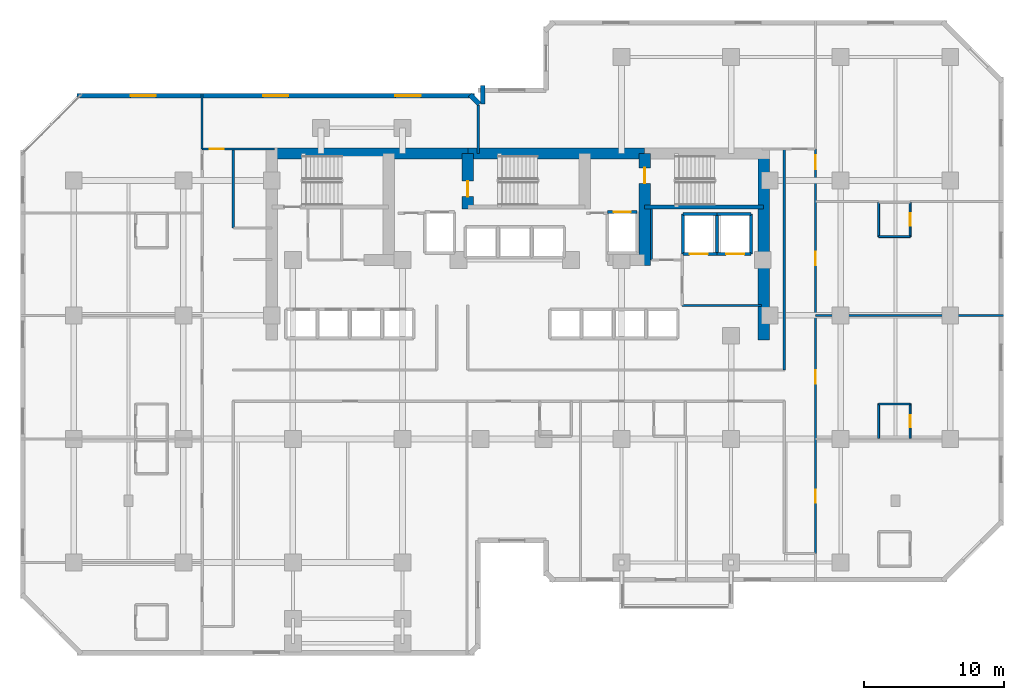
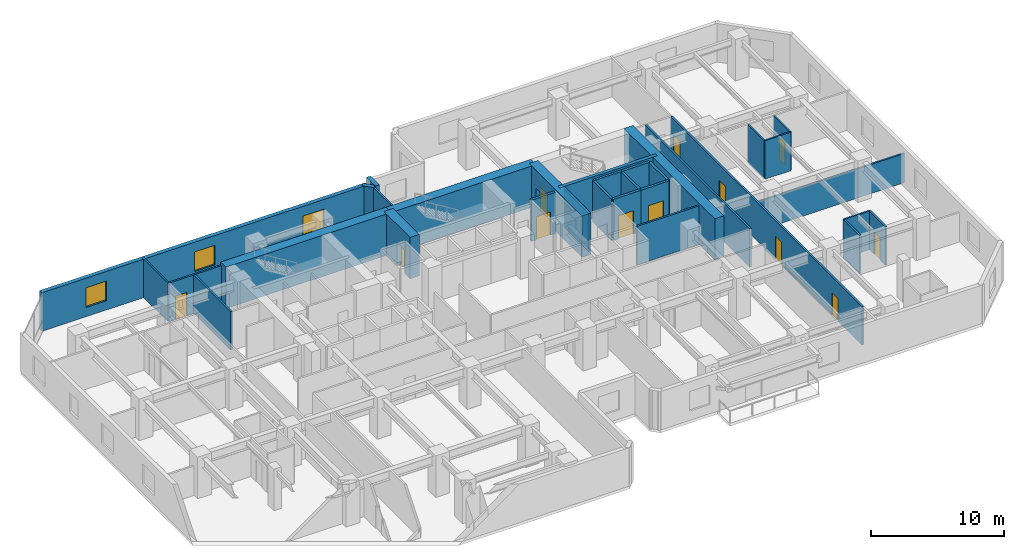
# One storey, part 8 of 11: 32 walls, 12 doors, 3 windows, 15 openings.
"""IFC4 building model written with IfcOpenShell, lengths in metres."""

from ifc_helpers import new_model, si_unit, direction, frame, frame_2d, origin, place, context, subcontext, project, spatial, rectangle, extrude, material, layer, layer_set, type_object, element, fill, save


model = new_model("IFC4")

# Units and contexts
model_context = context("Model", 3, precision=1e-05, world=origin(), true_north=direction((0.0, 1.0)))
body_context = subcontext(model_context, "Body", "Model", "MODEL_VIEW")
ifc_project = project(units=[si_unit("LENGTHUNIT", "METRE"), si_unit("AREAUNIT", "SQUARE_METRE"), si_unit("VOLUMEUNIT", "CUBIC_METRE"), si_unit("PLANEANGLEUNIT", "RADIAN"), si_unit("MASSUNIT", "GRAM", prefix="KILO")], contexts=[model_context])

# Site, building, storey
site_placement = place(None, origin())
site = spatial("IfcSite", under=ifc_project, at=site_placement, CompositionType="ELEMENT")
building_placement = place(site_placement, origin())
building = spatial("IfcBuilding", under=site, at=building_placement, Name="Kestravale Grand Hotel", CompositionType="ELEMENT")
storey_placement = place(building_placement, frame((0.0, 0.0, 84.199951171875)))
storey = spatial("IfcBuildingStorey", under=building, at=storey_placement, Name="L20", CompositionType="ELEMENT", Elevation=84.199951171875)

# Walls
ifc_material_1 = material(Name="Concrete f'c 60 MPa", Category="concrete")
ifc_layer_1 = layer(ifc_material_1, 0.800048828125)
ifc_layer_set_1 = layer_set([ifc_layer_1], Name="EW-CORE-800")
wall_type_1 = type_object("IfcWallType", Name="EW-CORE-800", PredefinedType="SHEAR", material=ifc_layer_set_1)
wall_1_placement = place(storey_placement, frame((21.5, 40.320068359375, 0.0), z_axis=(0.0, 0.0, 1.0), x_axis=(1.0, 0.0, 0.0)))
element("IfcWall", 1, at=wall_1_placement, inside=storey, type_object=wall_type_1, Name="L20 core shear wall N1", PredefinedType="SHEAR", context=body_context, shape_type="SweptSolid", body=[
    extrude(rectangle(XDim=14.35009765625, YDim=0.800048828125, at=frame_2d((7.175048828125, 0.0))), origin(), (0.0, 0.0, 1.0), 3.800048828125),
])
wall_2_placement = place(storey_placement, frame((35.85009765625, 40.320068359375, 0.0), z_axis=(0.0, 0.0, 1.0), x_axis=(1.0, 0.0, 0.0)))
element("IfcWall", 2, at=wall_2_placement, inside=storey, type_object=wall_type_1, Name="L20 core shear wall N2", PredefinedType="SHEAR", context=body_context, shape_type="SweptSolid", body=[
    extrude(rectangle(XDim=12.599853515625, YDim=0.800048828125, at=frame_2d((6.2998046875, 0.0))), origin(), (0.0, 0.0, 1.0), 3.800048828125),
])
wall_3_placement = place(storey_placement, frame((56.919921875, 27.050048828125, 0.0), z_axis=(0.0, 0.0, 1.0), x_axis=(0.0, 1.0, 0.0)))
element("IfcWall", 3, at=wall_3_placement, inside=storey, type_object=wall_type_1, Name="L20 core shear wall E1", PredefinedType="SHEAR", context=body_context, shape_type="SweptSolid", body=[
    extrude(rectangle(XDim=13.669921875, YDim=0.800048828125, at=frame_2d((6.8349609375, 0.0))), origin(), (0.0, 0.0, 1.0), 3.800048828125),
])

# Wall, opening, door
wall_4_placement = place(storey_placement, frame((35.85009765625, 36.3701171875, 0.0), z_axis=(0.0, 0.0, 1.0), x_axis=(0.0, 1.0, 0.0)))
wall_4 = element("IfcWall", 4, at=wall_4_placement, inside=storey, type_object=wall_type_1, Name="L20 core shear wall X2", PredefinedType="SHEAR", context=body_context, shape_type="SweptSolid", body=[
    extrude(rectangle(XDim=3.949951171875, YDim=0.800048828125, at=frame_2d((1.97509765625, 0.0))), origin(), (0.0, 0.0, 1.0), 3.800048828125),
])
opening_1_placement = place(wall_4_placement, frame((0.8798828125, 0.0, 0.0)))
opening_1 = element("IfcOpeningElement", 5, at=opening_1_placement, cuts=wall_4, Name="Opening D-ST-1100", PredefinedType="OPENING", context=body_context, shape_type="SweptSolid", body=[
    extrude(rectangle(XDim=1.10009765625, YDim=2.14990234375, at=frame_2d((0.550048828125, 1.074951171875))), frame((0.0, 0.409912109375, 0.0), z_axis=(0.0, -1.0, 0.0), x_axis=(1.0, 0.0, 0.0)), (0.0, 0.0, 1.0), 0.820068359375),
])
ifc_material_2 = material(Name="Galvanised 90-minute fire-rated steel stair door", Category="steel")
door_type_1 = type_object("IfcDoorType", Name="D-ST-1100", OperationType="NOTDEFINED", PredefinedType="DOOR", material=ifc_material_2)
door_1_placement = place(opening_1_placement, origin())
door_1 = element("IfcDoor", 6, at=door_1_placement, inside=storey, type_object=door_type_1, Name="L20 Stair ST-2 FSAE fire door", OperationType="SINGLE_SWING_RIGHT", OverallHeight=2.14990234375, OverallWidth=1.10009765625, PredefinedType="DOOR", context=body_context, shape_type="SweptSolid", body=[
    extrude(rectangle(XDim=1.10009765625, YDim=2.14990234375, at=frame_2d((0.550048828125, 1.074951171875))), frame((0.0, 0.02490234375, 0.0), z_axis=(0.0, -1.0, 0.0), x_axis=(1.0, 0.0, 0.0)), (0.0, 0.0, 1.0), 0.050048828125),
])
fill(opening_1, door_1)

wall_5_placement = place(storey_placement, frame((48.449951171875, 32.35009765625, 0.0), z_axis=(0.0, 0.0, 1.0), x_axis=(0.0, 1.0, 0.0)))
wall_5 = element("IfcWall", 7, at=wall_5_placement, inside=storey, type_object=wall_type_1, Name="L20 core shear wall X4", PredefinedType="SHEAR", context=body_context, shape_type="SweptSolid", body=[
    extrude(rectangle(XDim=7.969970703125, YDim=0.800048828125, at=frame_2d((3.98486328125, 0.0))), origin(), (0.0, 0.0, 1.0), 3.800048828125),
])
opening_2_placement = place(wall_5_placement, frame((5.85009765625, 0.0, 0.0)))
opening_2 = element("IfcOpeningElement", 8, at=opening_2_placement, cuts=wall_5, Name="Opening D-ST-1100", PredefinedType="OPENING", context=body_context, shape_type="SweptSolid", body=[
    extrude(rectangle(XDim=1.10009765625, YDim=2.14990234375, at=frame_2d((0.550048828125, 1.074951171875))), frame((0.0, 0.409912109375, 0.0), z_axis=(0.0, -1.0, 0.0), x_axis=(1.0, 0.0, 0.0)), (0.0, 0.0, 1.0), 0.820068359375),
])
door_2_placement = place(opening_2_placement, origin())
door_2 = element("IfcDoor", 9, at=door_2_placement, inside=storey, type_object=door_type_1, Name="L20 Stair ST-3 FSAE fire door", OperationType="SINGLE_SWING_RIGHT", OverallHeight=2.14990234375, OverallWidth=1.10009765625, PredefinedType="DOOR", context=body_context, shape_type="SweptSolid", body=[
    extrude(rectangle(XDim=1.10009765625, YDim=2.14990234375, at=frame_2d((0.550048828125, 1.074951171875))), frame((0.0, 0.02490234375, 0.0), z_axis=(0.0, -1.0, 0.0), x_axis=(1.0, 0.0, 0.0)), (0.0, 0.0, 1.0), 0.050048828125),
])
fill(opening_2, door_2)

# Walls
ifc_material_3 = material(Name="Precast concrete f'c 45 MPa", Category="concrete")
ifc_layer_2 = layer(ifc_material_3, 0.340087890625)
ifc_layer_set_2 = layer_set([ifc_layer_2], Name="EW-PREC-340")
wall_type_2 = type_object("IfcWallType", Name="EW-PREC-340", PredefinedType="SOLIDWALL", material=ifc_layer_set_2)
wall_6_placement = place(storey_placement, frame((36.919921875, 45.169921875, 0.0), z_axis=(0.0, 0.0, 1.0), x_axis=(0.0, -1.0, 0.0)))
element("IfcWall", 10, at=wall_6_placement, inside=storey, type_object=wall_type_2, Name="L20 fluted precast facade wall 15", PredefinedType="SOLIDWALL", context=body_context, shape_type="SweptSolid", body=[
    extrude(rectangle(XDim=1.33984375, YDim=0.340087890625, at=frame_2d((0.669921875, 0.0))), origin(), (0.0, 0.0, 1.0), 3.5400390625),
])
wall_7_placement = place(storey_placement, frame((36.658203125, 43.8515625, 0.0), z_axis=(0.0, 0.0, 1.0), x_axis=(-0.707238225886, 0.706975312048, 0.0)))
element("IfcWall", 11, at=wall_7_placement, inside=storey, type_object=wall_type_2, Name="L20 fluted precast facade wall 16", PredefinedType="SOLIDWALL", context=body_context, shape_type="SweptSolid", body=[
    extrude(rectangle(XDim=0.9287109375, YDim=0.340087890625, at=frame_2d((0.46435546875, 0.0))), origin(), (0.0, 0.0, 1.0), 3.5400390625),
])

# Wall, openings, windows
wall_8_placement = place(storey_placement, frame((36.320068359375, 44.429931640625, 0.0), z_axis=(0.0, 0.0, 1.0), x_axis=(-1.0, 0.0, 0.0)))
wall_8 = element("IfcWall", 12, at=wall_8_placement, inside=storey, type_object=wall_type_2, Name="L20 fluted precast facade wall 17", PredefinedType="SOLIDWALL", context=body_context, shape_type="SweptSolid", body=[
    extrude(rectangle(XDim=28.2900390625, YDim=0.340087890625, at=frame_2d((14.14501953125, 0.0))), origin(), (0.0, 0.0, 1.0), 3.5400390625),
])
opening_3_placement = place(wall_8_placement, frame((3.81494140625, 0.0, 0.85009765625)))
opening_3 = element("IfcOpeningElement", 13, at=opening_3_placement, cuts=wall_8, Name="Opening W-GUEST-1800", PredefinedType="OPENING", context=body_context, shape_type="SweptSolid", body=[
    extrude(rectangle(XDim=1.800048828125, YDim=1.800048828125, at=frame_2d((0.89990234375, 0.89990234375))), frame((0.0, 0.179931640625, 0.0), z_axis=(0.0, -1.0, 0.0), x_axis=(1.0, 0.0, 0.0)), (0.0, 0.0, 1.0), 0.360107421875),
])
opening_4_placement = place(wall_8_placement, frame((13.2451171875, 0.0, 0.85009765625)))
opening_4 = element("IfcOpeningElement", 14, at=opening_4_placement, cuts=wall_8, Name="Opening W-GUEST-1800", PredefinedType="OPENING", context=body_context, shape_type="SweptSolid", body=[
    extrude(rectangle(XDim=1.800048828125, YDim=1.800048828125, at=frame_2d((0.89990234375, 0.89990234375))), frame((0.0, 0.179931640625, 0.0), z_axis=(0.0, -1.0, 0.0), x_axis=(1.0, 0.0, 0.0)), (0.0, 0.0, 1.0), 0.360107421875),
])
opening_5_placement = place(wall_8_placement, frame((22.675048828125, 0.0, 0.85009765625)))
opening_5 = element("IfcOpeningElement", 15, at=opening_5_placement, cuts=wall_8, Name="Opening W-GUEST-1800", PredefinedType="OPENING", context=body_context, shape_type="SweptSolid", body=[
    extrude(rectangle(XDim=1.800048828125, YDim=1.800048828125, at=frame_2d((0.89990234375, 0.89990234375))), frame((0.0, 0.179931640625, 0.0), z_axis=(0.0, -1.0, 0.0), x_axis=(1.0, 0.0, 0.0)), (0.0, 0.0, 1.0), 0.360107421875),
])
ifc_material_4 = material(Name="Insulated low-E double glazing in aluminium frame", Category="aluminium")
window_type = type_object("IfcWindowType", Name="W-GUEST-1800", PartitioningType="DOUBLE_PANEL_VERTICAL", PredefinedType="WINDOW", material=ifc_material_4)
window_1_placement = place(opening_3_placement, origin())
window_1 = element("IfcWindow", 16, at=window_1_placement, inside=storey, type_object=window_type, Name="L20 exterior window 17.1", OverallHeight=1.800048828125, OverallWidth=1.800048828125, PartitioningType="SINGLE_PANEL", PredefinedType="WINDOW", context=body_context, shape_type="SweptSolid", body=[
    extrude(rectangle(XDim=1.800048828125, YDim=1.800048828125, at=frame_2d((0.89990234375, 0.89990234375))), frame((0.0, 0.030029296875, 0.0), z_axis=(0.0, -1.0, 0.0), x_axis=(1.0, 0.0, 0.0)), (0.0, 0.0, 1.0), 0.06005859375),
])
fill(opening_3, window_1)
window_2_placement = place(opening_4_placement, origin())
window_2 = element("IfcWindow", 17, at=window_2_placement, inside=storey, type_object=window_type, Name="L20 exterior window 17.2", OverallHeight=1.800048828125, OverallWidth=1.800048828125, PartitioningType="SINGLE_PANEL", PredefinedType="WINDOW", context=body_context, shape_type="SweptSolid", body=[
    extrude(rectangle(XDim=1.800048828125, YDim=1.800048828125, at=frame_2d((0.89990234375, 0.89990234375))), frame((0.0, 0.030029296875, 0.0), z_axis=(0.0, -1.0, 0.0), x_axis=(1.0, 0.0, 0.0)), (0.0, 0.0, 1.0), 0.06005859375),
])
fill(opening_4, window_2)
window_3_placement = place(opening_5_placement, origin())
window_3 = element("IfcWindow", 18, at=window_3_placement, inside=storey, type_object=window_type, Name="L20 exterior window 17.3", OverallHeight=1.800048828125, OverallWidth=1.800048828125, PartitioningType="SINGLE_PANEL", PredefinedType="WINDOW", context=body_context, shape_type="SweptSolid", body=[
    extrude(rectangle(XDim=1.800048828125, YDim=1.800048828125, at=frame_2d((0.89990234375, 0.89990234375))), frame((0.0, 0.030029296875, 0.0), z_axis=(0.0, -1.0, 0.0), x_axis=(1.0, 0.0, 0.0)), (0.0, 0.0, 1.0), 0.06005859375),
])
fill(opening_5, window_3)

# Walls
ifc_material_5 = material(Name="Concrete f'c 45 MPa", Category="concrete")
ifc_layer_3 = layer(ifc_material_5, 0.300048828125)
ifc_layer_set_3 = layer_set([ifc_layer_3], Name="EW-STAIR-300")
wall_type_3 = type_object("IfcWallType", Name="EW-STAIR-300", PredefinedType="SHEAR", material=ifc_layer_set_3)
wall_9_placement = place(storey_placement, frame((48.449951171875, 36.52001953125, 0.0), z_axis=(0.0, 0.0, 1.0), x_axis=(1.0, 0.0, 0.0)))
element("IfcWall", 19, at=wall_9_placement, inside=storey, type_object=wall_type_3, Name="L20 stair enclosure shear wall SST3", PredefinedType="SHEAR", context=body_context, shape_type="SweptSolid", body=[
    extrude(rectangle(XDim=8.469970703125, YDim=0.300048828125, at=frame_2d((4.23486328125, 0.0))), origin(), (0.0, 0.0, 1.0), 3.800048828125),
])
ifc_material_6 = material(Name="Acoustic fire-rated gypsum board partition", Category="other")
ifc_layer_4 = layer(ifc_material_6, 0.159912109375)
ifc_layer_set_4 = layer_set([ifc_layer_4], Name="IW-CORR-160")
wall_type_4 = type_object("IfcWallType", Name="IW-CORR-160", PredefinedType="PARTITIONING", material=ifc_layer_set_4)
for number, where, z_axis, x_axis, name in (
    (20, (51.1201171875, 29.5, 0.0), (0.0, 0.0, 1.0), (1.0, 0.0, 0.0), "L20 service lift lobby wall"),
    (21, (19.159912109375, 35.02001953125, 0.0), (0.0, 0.0, 1.0), (0.0, 1.0, 0.0), "W-L20-SW-EN"),
):
    element("IfcWall", number, at=place(storey_placement, frame(where, z_axis=z_axis, x_axis=x_axis)), inside=storey, type_object=wall_type_4, Name=name, PredefinedType="PARTITIONING", context=body_context, shape_type="SweptSolid", body=[
        extrude(rectangle(XDim=5.6298828125, YDim=0.159912109375, at=frame_2d((2.81494140625, 0.0))), origin(), (0.0, 0.0, 1.0), 3.5400390625),
    ])

# Wall, openings, doors
wall_10_placement = place(storey_placement, frame((60.610107421875, 11.85009765625, 0.0), z_axis=(0.0, 0.0, 1.0), x_axis=(0.0, 1.0, 0.0)))
wall_10 = element("IfcWall", 22, at=wall_10_placement, inside=storey, type_object=wall_type_4, Name="W-L20-SE-E", PredefinedType="PARTITIONING", context=body_context, shape_type="SweptSolid", body=[
    extrude(rectangle(XDim=28.7998046875, YDim=0.159912109375, at=frame_2d((14.39990234375, 0.0))), origin(), (0.0, 0.0, 1.0), 3.5400390625),
])
opening_6_placement = place(wall_10_placement, frame((3.60009765625, 0.0, 0.0)))
opening_6 = element("IfcOpeningElement", 23, at=opening_6_placement, cuts=wall_10, Name="Opening D-GUEST-950", PredefinedType="OPENING", context=body_context, shape_type="SweptSolid", body=[
    extrude(rectangle(XDim=0.949951171875, YDim=2.10009765625, at=frame_2d((0.47509765625, 1.050048828125))), frame((0.0, 0.08984375, 0.0), z_axis=(0.0, -1.0, 0.0), x_axis=(1.0, 0.0, 0.0)), (0.0, 0.0, 1.0), 0.179931640625),
])
opening_7_placement = place(wall_10_placement, frame((12.074951171875, 0.0, 0.0)))
opening_7 = element("IfcOpeningElement", 24, at=opening_7_placement, cuts=wall_10, Name="Opening D-GUEST-950", PredefinedType="OPENING", context=body_context, shape_type="SweptSolid", body=[
    extrude(rectangle(XDim=0.949951171875, YDim=2.10009765625, at=frame_2d((0.47509765625, 1.050048828125))), frame((0.0, 0.08984375, 0.0), z_axis=(0.0, -1.0, 0.0), x_axis=(1.0, 0.0, 0.0)), (0.0, 0.0, 1.0), 0.179931640625),
])
opening_8_placement = place(wall_10_placement, frame((20.52490234375, 0.0, 0.0)))
opening_8 = element("IfcOpeningElement", 25, at=opening_8_placement, cuts=wall_10, Name="Opening D-GUEST-950", PredefinedType="OPENING", context=body_context, shape_type="SweptSolid", body=[
    extrude(rectangle(XDim=0.949951171875, YDim=2.10009765625, at=frame_2d((0.47509765625, 1.050048828125))), frame((0.0, 0.08984375, 0.0), z_axis=(0.0, -1.0, 0.0), x_axis=(1.0, 0.0, 0.0)), (0.0, 0.0, 1.0), 0.179931640625),
])
opening_9_placement = place(wall_10_placement, frame((27.360107421875, 0.0, 0.0)))
opening_9 = element("IfcOpeningElement", 26, at=opening_9_placement, cuts=wall_10, Name="Opening D-GUEST-1000", PredefinedType="OPENING", context=body_context, shape_type="SweptSolid", body=[
    extrude(rectangle(XDim=1.0, YDim=2.14990234375, at=frame_2d((0.5, 1.074951171875))), frame((0.0, 0.08984375, 0.0), z_axis=(0.0, -1.0, 0.0), x_axis=(1.0, 0.0, 0.0)), (0.0, 0.0, 1.0), 0.179931640625),
])
ifc_material_7 = material(Name="Accessible walnut veneer hotel entrance fire door", Category="wood")
door_type_2 = type_object("IfcDoorType", Name="D-GUEST-1000", OperationType="NOTDEFINED", PredefinedType="DOOR", material=ifc_material_7)
door_3_placement = place(opening_9_placement, origin())
door_3 = element("IfcDoor", 27, at=door_3_placement, inside=storey, type_object=door_type_2, Name="D-L20-AMEW", OperationType="SINGLE_SWING_RIGHT", OverallHeight=2.14990234375, OverallWidth=1.0, PredefinedType="DOOR", context=body_context, shape_type="SweptSolid", body=[
    extrude(rectangle(XDim=1.0, YDim=2.14990234375, at=frame_2d((0.5, 1.074951171875))), frame((0.0, 0.02490234375, 0.0), z_axis=(0.0, -1.0, 0.0), x_axis=(1.0, 0.0, 0.0)), (0.0, 0.0, 1.0), 0.050048828125),
])
fill(opening_9, door_3)
ifc_material_8 = material(Name="Walnut veneer hotel guestroom entrance fire door", Category="wood")
door_type_3 = type_object("IfcDoorType", Name="D-GUEST-950", OperationType="NOTDEFINED", PredefinedType="DOOR", material=ifc_material_8)
door_4_placement = place(opening_6_placement, origin())
door_4 = element("IfcDoor", 28, at=door_4_placement, inside=storey, type_object=door_type_3, Name="D-L20-U07-ENT", OperationType="SINGLE_SWING_LEFT", OverallHeight=2.10009765625, OverallWidth=0.949951171875, PredefinedType="DOOR", context=body_context, shape_type="SweptSolid", body=[
    extrude(rectangle(XDim=0.949951171875, YDim=2.10009765625, at=frame_2d((0.47509765625, 1.050048828125))), frame((0.0, 0.02490234375, 0.0), z_axis=(0.0, -1.0, 0.0), x_axis=(1.0, 0.0, 0.0)), (0.0, 0.0, 1.0), 0.050048828125),
])
fill(opening_6, door_4)
door_5_placement = place(opening_7_placement, origin())
door_5 = element("IfcDoor", 29, at=door_5_placement, inside=storey, type_object=door_type_3, Name="D-L20-U08-ENT", OperationType="SINGLE_SWING_LEFT", OverallHeight=2.10009765625, OverallWidth=0.949951171875, PredefinedType="DOOR", context=body_context, shape_type="SweptSolid", body=[
    extrude(rectangle(XDim=0.949951171875, YDim=2.10009765625, at=frame_2d((0.47509765625, 1.050048828125))), frame((0.0, 0.02490234375, 0.0), z_axis=(0.0, -1.0, 0.0), x_axis=(1.0, 0.0, 0.0)), (0.0, 0.0, 1.0), 0.050048828125),
])
fill(opening_7, door_5)
door_6_placement = place(opening_8_placement, origin())
door_6 = element("IfcDoor", 30, at=door_6_placement, inside=storey, type_object=door_type_3, Name="D-L20-U09-ENT", OperationType="SINGLE_SWING_LEFT", OverallHeight=2.10009765625, OverallWidth=0.949951171875, PredefinedType="DOOR", context=body_context, shape_type="SweptSolid", body=[
    extrude(rectangle(XDim=0.949951171875, YDim=2.10009765625, at=frame_2d((0.47509765625, 1.050048828125))), frame((0.0, 0.02490234375, 0.0), z_axis=(0.0, -1.0, 0.0), x_axis=(1.0, 0.0, 0.0)), (0.0, 0.0, 1.0), 0.050048828125),
])
fill(opening_8, door_6)

# Walls
wall_11_placement = place(storey_placement, frame((58.389892578125, 24.909912109375, 0.0), z_axis=(0.0, 0.0, 1.0), x_axis=(0.0, 1.0, 0.0)))
element("IfcWall", 31, at=wall_11_placement, inside=storey, type_object=wall_type_4, Name="W-L20-SE-WU", PredefinedType="PARTITIONING", context=body_context, shape_type="SweptSolid", body=[
    extrude(rectangle(XDim=15.739990234375, YDim=0.159912109375, at=frame_2d((7.8701171875, 0.0))), origin(), (0.0, 0.0, 1.0), 3.5400390625),
])
ifc_material_9 = material(Name="Moisture-resistant tile-backer plumbing chase wall", Category="other")
ifc_layer_5 = layer(ifc_material_9, 0.139892578125)
ifc_layer_set_5 = layer_set([ifc_layer_5], Name="IW-PLB-140")
wall_type_5 = type_object("IfcWallType", Name="IW-PLB-140", PredefinedType="PLUMBINGWALL", material=ifc_layer_set_5)
wall_12_placement = place(storey_placement, frame((65.10009765625, 20.0400390625, 0.0), z_axis=(0.0, 0.0, 1.0), x_axis=(0.0, 1.0, 0.0)))
element("IfcWall", 32, at=wall_12_placement, inside=storey, type_object=wall_type_5, Name="W-L20-U08-BW", PredefinedType="PLUMBINGWALL", context=body_context, shape_type="SweptSolid", body=[
    extrude(rectangle(XDim=2.449951171875, YDim=0.139892578125, at=frame_2d((1.22509765625, 0.0))), origin(), (0.0, 0.0, 1.0), 3.5400390625),
])

# Wall, opening, door
wall_13_placement = place(storey_placement, frame((67.35009765625, 20.0400390625, 0.0), z_axis=(0.0, 0.0, 1.0), x_axis=(0.0, 1.0, 0.0)))
wall_13 = element("IfcWall", 33, at=wall_13_placement, inside=storey, type_object=wall_type_5, Name="W-L20-U08-BE", PredefinedType="PLUMBINGWALL", context=body_context, shape_type="SweptSolid", body=[
    extrude(rectangle(XDim=2.449951171875, YDim=0.139892578125, at=frame_2d((1.22509765625, 0.0))), origin(), (0.0, 0.0, 1.0), 3.5400390625),
])
opening_10_placement = place(wall_13_placement, frame((0.784912109375, 0.0, 0.0)))
opening_10 = element("IfcOpeningElement", 34, at=opening_10_placement, cuts=wall_13, Name="Opening D-BATH-880", PredefinedType="OPENING", context=body_context, shape_type="SweptSolid", body=[
    extrude(rectangle(XDim=0.8798828125, YDim=2.050048828125, at=frame_2d((0.43994140625, 1.02490234375))), frame((0.0, 0.079833984375, 0.0), z_axis=(0.0, -1.0, 0.0), x_axis=(1.0, 0.0, 0.0)), (0.0, 0.0, 1.0), 0.159912109375),
])
ifc_material_10 = material(Name="Moisture-sealed walnut en-suite bathroom door", Category="wood")
door_type_4 = type_object("IfcDoorType", Name="D-BATH-880", OperationType="NOTDEFINED", PredefinedType="DOOR", material=ifc_material_10)
door_7_placement = place(opening_10_placement, origin())
door_7 = element("IfcDoor", 35, at=door_7_placement, inside=storey, type_object=door_type_4, Name="D-L20-U08-BATH", OperationType="SINGLE_SWING_RIGHT", OverallHeight=2.050048828125, OverallWidth=0.8798828125, PredefinedType="DOOR", context=body_context, shape_type="SweptSolid", body=[
    extrude(rectangle(XDim=0.8798828125, YDim=2.050048828125, at=frame_2d((0.43994140625, 1.02490234375))), frame((0.0, 0.02490234375, 0.0), z_axis=(0.0, -1.0, 0.0), x_axis=(1.0, 0.0, 0.0)), (0.0, 0.0, 1.0), 0.050048828125),
])
fill(opening_10, door_7)

# Walls
wall_14_placement = place(storey_placement, frame((65.10009765625, 22.489990234375, 0.0), z_axis=(0.0, 0.0, 1.0), x_axis=(1.0, 0.0, 0.0)))
element("IfcWall", 36, at=wall_14_placement, inside=storey, type_object=wall_type_5, Name="W-L20-U08-BN", PredefinedType="PLUMBINGWALL", context=body_context, shape_type="SweptSolid", body=[
    extrude(rectangle(XDim=2.25, YDim=0.139892578125, at=frame_2d((1.125, 0.0))), origin(), (0.0, 0.0, 1.0), 3.5400390625),
])
wall_15_placement = place(storey_placement, frame((65.10009765625, 34.409912109375, 0.0), z_axis=(0.0, 0.0, 1.0), x_axis=(0.0, 1.0, 0.0)))
element("IfcWall", 37, at=wall_15_placement, inside=storey, type_object=wall_type_5, Name="W-L20-U09-BW", PredefinedType="PLUMBINGWALL", context=body_context, shape_type="SweptSolid", body=[
    extrude(rectangle(XDim=2.4501953125, YDim=0.139892578125, at=frame_2d((1.22509765625, 0.0))), origin(), (0.0, 0.0, 1.0), 3.5400390625),
])

# Wall, opening, door
wall_16_placement = place(storey_placement, frame((67.35009765625, 34.409912109375, 0.0), z_axis=(0.0, 0.0, 1.0), x_axis=(0.0, 1.0, 0.0)))
wall_16 = element("IfcWall", 38, at=wall_16_placement, inside=storey, type_object=wall_type_5, Name="W-L20-U09-BE", PredefinedType="PLUMBINGWALL", context=body_context, shape_type="SweptSolid", body=[
    extrude(rectangle(XDim=2.4501953125, YDim=0.139892578125, at=frame_2d((1.22509765625, 0.0))), origin(), (0.0, 0.0, 1.0), 3.5400390625),
])
opening_11_placement = place(wall_16_placement, frame((0.784912109375, 0.0, 0.0)))
opening_11 = element("IfcOpeningElement", 39, at=opening_11_placement, cuts=wall_16, Name="Opening D-BATH-880", PredefinedType="OPENING", context=body_context, shape_type="SweptSolid", body=[
    extrude(rectangle(XDim=0.8798828125, YDim=2.050048828125, at=frame_2d((0.43994140625, 1.02490234375))), frame((0.0, 0.079833984375, 0.0), z_axis=(0.0, -1.0, 0.0), x_axis=(1.0, 0.0, 0.0)), (0.0, 0.0, 1.0), 0.159912109375),
])
door_8_placement = place(opening_11_placement, origin())
door_8 = element("IfcDoor", 40, at=door_8_placement, inside=storey, type_object=door_type_4, Name="D-L20-U09-BATH", OperationType="SINGLE_SWING_RIGHT", OverallHeight=2.050048828125, OverallWidth=0.8798828125, PredefinedType="DOOR", context=body_context, shape_type="SweptSolid", body=[
    extrude(rectangle(XDim=0.8798828125, YDim=2.050048828125, at=frame_2d((0.43994140625, 1.02490234375))), frame((0.0, 0.02490234375, 0.0), z_axis=(0.0, -1.0, 0.0), x_axis=(1.0, 0.0, 0.0)), (0.0, 0.0, 1.0), 0.050048828125),
])
fill(opening_11, door_8)

# Walls
wall_17_placement = place(storey_placement, frame((65.10009765625, 34.409912109375, 0.0), z_axis=(0.0, 0.0, 1.0), x_axis=(1.0, 0.0, 0.0)))
element("IfcWall", 41, at=wall_17_placement, inside=storey, type_object=wall_type_5, Name="W-L20-U09-BS", PredefinedType="PLUMBINGWALL", context=body_context, shape_type="SweptSolid", body=[
    extrude(rectangle(XDim=2.25, YDim=0.139892578125, at=frame_2d((1.125, 0.0))), origin(), (0.0, 0.0, 1.0), 3.5400390625),
])
ifc_material_11 = material(Name="Concrete f'c 45 MPa", Category="concrete")
ifc_layer_6 = layer(ifc_material_11, 0.199951171875)
ifc_layer_set_6 = layer_set([ifc_layer_6], Name="IW-SHAFT-200")
wall_type_6 = type_object("IfcWallType", Name="IW-SHAFT-200", PredefinedType="SHEAR", material=ifc_layer_set_6)
for number, where, z_axis, x_axis, name in (
    (42, (51.179931640625, 33.169921875, 0.0), (0.0, 0.0, 1.0), (0.0, 1.0, 0.0), "L20 SL-1 west shaft wall"),
    (43, (53.60009765625, 33.169921875, 0.0), (0.0, 0.0, 1.0), (0.0, 1.0, 0.0), "L20 SL-2 west shaft wall"),
    (44, (56.02001953125, 33.169921875, 0.0), (0.0, 0.0, 1.0), (0.0, 1.0, 0.0), "L20 SL-2 east shaft wall"),
):
    element("IfcWall", number, at=place(storey_placement, frame(where, z_axis=z_axis, x_axis=x_axis)), inside=storey, type_object=wall_type_6, Name=name, PredefinedType="SHEAR", context=body_context, shape_type="SweptSolid", body=[
        extrude(rectangle(XDim=2.860107421875, YDim=0.199951171875, at=frame_2d((1.43017578125, 0.0))), origin(), (0.0, 0.0, 1.0), 3.800048828125),
    ])
ifc_material_12 = material(Name="Concrete f'c 45 MPa", Category="concrete")
ifc_layer_7 = layer(ifc_material_12, 0.219970703125)
ifc_layer_set_7 = layer_set([ifc_layer_7], Name="IW-SHAFT-220")
wall_type_7 = type_object("IfcWallType", Name="IW-SHAFT-220", PredefinedType="SHEAR", material=ifc_layer_set_7)
wall_18_placement = place(storey_placement, frame((51.179931640625, 36.030029296875, 0.0), z_axis=(0.0, 0.0, 1.0), x_axis=(1.0, 0.0, 0.0)))
element("IfcWall", 45, at=wall_18_placement, inside=storey, type_object=wall_type_7, Name="L20 SL-1 north shaft wall", PredefinedType="SHEAR", context=body_context, shape_type="SweptSolid", body=[
    extrude(rectangle(XDim=2.420166015625, YDim=0.219970703125, at=frame_2d((1.2099609375, 0.0))), origin(), (0.0, 0.0, 1.0), 3.800048828125),
])

# Wall, opening, door
wall_19_placement = place(storey_placement, frame((51.179931640625, 33.169921875, 0.0), z_axis=(0.0, 0.0, 1.0), x_axis=(1.0, 0.0, 0.0)))
wall_19 = element("IfcWall", 46, at=wall_19_placement, inside=storey, type_object=wall_type_7, Name="L20 SL-1 south shaft wall", PredefinedType="SHEAR", context=body_context, shape_type="SweptSolid", body=[
    extrude(rectangle(XDim=2.420166015625, YDim=0.219970703125, at=frame_2d((1.2099609375, 0.0))), origin(), (0.0, 0.0, 1.0), 3.800048828125),
])
opening_12_placement = place(wall_19_placement, frame((0.469970703125, 0.0, 0.0)))
opening_12 = element("IfcOpeningElement", 47, at=opening_12_placement, cuts=wall_19, Name="Opening LD-SVC-1300", PredefinedType="OPENING", context=body_context, shape_type="SweptSolid", body=[
    extrude(rectangle(XDim=1.300048828125, YDim=2.14990234375, at=frame_2d((0.64990234375, 1.074951171875))), frame((0.0, 0.119873046875, 0.0), z_axis=(0.0, -1.0, 0.0), x_axis=(1.0, 0.0, 0.0)), (0.0, 0.0, 1.0), 0.239990234375),
])
ifc_material_13 = material(Name="Heavy-duty service sliding elevator landing door", Category="steel")
door_type_5 = type_object("IfcDoorType", Name="LD-SVC-1300", OperationType="NOTDEFINED", PredefinedType="DOOR", material=ifc_material_13)
door_9_placement = place(opening_12_placement, origin())
door_9 = element("IfcDoor", 48, at=door_9_placement, inside=storey, type_object=door_type_5, Name="L20 SL-1 elevator landing sliding door", OperationType="DOUBLE_DOOR_SLIDING", OverallHeight=2.14990234375, OverallWidth=1.300048828125, PredefinedType="DOOR", context=body_context, shape_type="SweptSolid", body=[
    extrude(rectangle(XDim=1.300048828125, YDim=2.14990234375, at=frame_2d((0.64990234375, 1.074951171875))), frame((0.0, 0.02490234375, 0.0), z_axis=(0.0, -1.0, 0.0), x_axis=(1.0, 0.0, 0.0)), (0.0, 0.0, 1.0), 0.050048828125),
])
fill(opening_12, door_9)

# Wall
wall_20_placement = place(storey_placement, frame((53.60009765625, 36.030029296875, 0.0), z_axis=(0.0, 0.0, 1.0), x_axis=(1.0, 0.0, 0.0)))
element("IfcWall", 49, at=wall_20_placement, inside=storey, type_object=wall_type_7, Name="L20 SL-2 north shaft wall", PredefinedType="SHEAR", context=body_context, shape_type="SweptSolid", body=[
    extrude(rectangle(XDim=2.419921875, YDim=0.219970703125, at=frame_2d((1.2099609375, 0.0))), origin(), (0.0, 0.0, 1.0), 3.800048828125),
])

# Wall, opening, door
wall_21_placement = place(storey_placement, frame((53.60009765625, 33.169921875, 0.0), z_axis=(0.0, 0.0, 1.0), x_axis=(1.0, 0.0, 0.0)))
wall_21 = element("IfcWall", 50, at=wall_21_placement, inside=storey, type_object=wall_type_7, Name="L20 SL-2 south shaft wall", PredefinedType="SHEAR", context=body_context, shape_type="SweptSolid", body=[
    extrude(rectangle(XDim=2.419921875, YDim=0.219970703125, at=frame_2d((1.2099609375, 0.0))), origin(), (0.0, 0.0, 1.0), 3.800048828125),
])
opening_13_placement = place(wall_21_placement, frame((0.64990234375, 0.0, 0.0)))
opening_13 = element("IfcOpeningElement", 51, at=opening_13_placement, cuts=wall_21, Name="Opening LD-SVC-1300", PredefinedType="OPENING", context=body_context, shape_type="SweptSolid", body=[
    extrude(rectangle(XDim=1.300048828125, YDim=2.14990234375, at=frame_2d((0.64990234375, 1.074951171875))), frame((0.0, 0.119873046875, 0.0), z_axis=(0.0, -1.0, 0.0), x_axis=(1.0, 0.0, 0.0)), (0.0, 0.0, 1.0), 0.239990234375),
])
door_10_placement = place(opening_13_placement, origin())
door_10 = element("IfcDoor", 52, at=door_10_placement, inside=storey, type_object=door_type_5, Name="L20 SL-2 elevator landing sliding door", OperationType="DOUBLE_DOOR_SLIDING", OverallHeight=2.14990234375, OverallWidth=1.300048828125, PredefinedType="DOOR", context=body_context, shape_type="SweptSolid", body=[
    extrude(rectangle(XDim=1.300048828125, YDim=2.14990234375, at=frame_2d((0.64990234375, 1.074951171875))), frame((0.0, 0.02490234375, 0.0), z_axis=(0.0, -1.0, 0.0), x_axis=(1.0, 0.0, 0.0)), (0.0, 0.0, 1.0), 0.050048828125),
])
fill(opening_13, door_10)

wall_22_placement = place(storey_placement, frame((45.804931640625, 36.155029296875, 0.0), z_axis=(0.0, 0.0, 1.0), x_axis=(1.0, 0.0, 0.0)))
wall_22 = element("IfcWall", 53, at=wall_22_placement, inside=storey, type_object=wall_type_7, Name="L20 FL-2 north shaft wall", PredefinedType="SHEAR", context=body_context, shape_type="SweptSolid", body=[
    extrude(rectangle(XDim=2.090087890625, YDim=0.219970703125, at=frame_2d((1.044921875, 0.0))), origin(), (0.0, 0.0, 1.0), 3.800048828125),
])
opening_14_placement = place(wall_22_placement, frame((0.445068359375, 0.0, 0.0)))
opening_14 = element("IfcOpeningElement", 54, at=opening_14_placement, cuts=wall_22, Name="Opening LD-FSAE-1200", PredefinedType="OPENING", context=body_context, shape_type="SweptSolid", body=[
    extrude(rectangle(XDim=1.199951171875, YDim=2.14990234375, at=frame_2d((0.60009765625, 1.074951171875))), frame((0.0, 0.119873046875, 0.0), z_axis=(0.0, -1.0, 0.0), x_axis=(1.0, 0.0, 0.0)), (0.0, 0.0, 1.0), 0.239990234375),
])
ifc_material_14 = material(Name="Stainless fire-service sliding elevator landing door", Category="steel")
door_type_6 = type_object("IfcDoorType", Name="LD-FSAE-1200", OperationType="NOTDEFINED", PredefinedType="DOOR", material=ifc_material_14)
door_11_placement = place(opening_14_placement, origin())
door_11 = element("IfcDoor", 55, at=door_11_placement, inside=storey, type_object=door_type_6, Name="L20 FL-2 elevator landing sliding door", OperationType="DOUBLE_DOOR_SLIDING", OverallHeight=2.14990234375, OverallWidth=1.199951171875, PredefinedType="DOOR", context=body_context, shape_type="SweptSolid", body=[
    extrude(rectangle(XDim=1.199951171875, YDim=2.14990234375, at=frame_2d((0.60009765625, 1.074951171875))), frame((0.0, 0.02490234375, 0.0), z_axis=(0.0, -1.0, 0.0), x_axis=(1.0, 0.0, 0.0)), (0.0, 0.0, 1.0), 0.050048828125),
])
fill(opening_14, door_11)

# Wall
ifc_material_15 = material(Name="Double-stud STC 52 acoustic demising partition", Category="other")
ifc_layer_8 = layer(ifc_material_15, 0.14990234375)
ifc_layer_set_8 = layer_set([ifc_layer_8], Name="IW-UNIT-150")
wall_type_8 = type_object("IfcWallType", Name="IW-UNIT-150", PredefinedType="PARTITIONING", material=ifc_layer_set_8)
wall_23_placement = place(storey_placement, frame((48.919921875, 32.75, 0.0), z_axis=(0.0, 0.0, 1.0), x_axis=(0.0, 1.0, 0.0)))
element("IfcWall", 56, at=wall_23_placement, inside=storey, type_object=wall_type_8, Name="W-L20-CEW", PredefinedType="PARTITIONING", context=body_context, shape_type="SweptSolid", body=[
    extrude(rectangle(XDim=3.6201171875, YDim=0.14990234375, at=frame_2d((1.81005859375, 0.0))), origin(), (0.0, 0.0, 1.0), 3.5400390625),
])

# Wall, opening, door
wall_24_placement = place(storey_placement, frame((16.93994140625, 40.64990234375, 0.0), z_axis=(0.0, 0.0, 1.0), x_axis=(1.0, 0.0, 0.0)))
wall_24 = element("IfcWall", 57, at=wall_24_placement, inside=storey, type_object=wall_type_8, Name="W-L20-SW-N", PredefinedType="PARTITIONING", context=body_context, shape_type="SweptSolid", body=[
    extrude(rectangle(XDim=5.16015625, YDim=0.14990234375, at=frame_2d((2.580078125, 0.0))), origin(), (0.0, 0.0, 1.0), 3.5400390625),
])
opening_15_placement = place(wall_24_placement, frame((0.550048828125, 0.0, 0.0)))
opening_15 = element("IfcOpeningElement", 58, at=opening_15_placement, cuts=wall_24, Name="Opening D-GUEST-1000", PredefinedType="OPENING", context=body_context, shape_type="SweptSolid", body=[
    extrude(rectangle(XDim=1.0, YDim=2.14990234375, at=frame_2d((0.5, 1.074951171875))), frame((0.0, 0.0849609375, 0.0), z_axis=(0.0, -1.0, 0.0), x_axis=(1.0, 0.0, 0.0)), (0.0, 0.0, 1.0), 0.169921875),
])
door_12_placement = place(opening_15_placement, origin())
door_12 = element("IfcDoor", 59, at=door_12_placement, inside=storey, type_object=door_type_2, Name="L20 NW Gallery Door", OperationType="SINGLE_SWING_RIGHT", OverallHeight=2.14990234375, OverallWidth=1.0, PredefinedType="DOOR", context=body_context, shape_type="SweptSolid", body=[
    extrude(rectangle(XDim=1.0, YDim=2.14990234375, at=frame_2d((0.5, 1.074951171875))), frame((0.0, 0.02490234375, 0.0), z_axis=(0.0, -1.0, 0.0), x_axis=(1.0, 0.0, 0.0)), (0.0, 0.0, 1.0), 0.050048828125),
])
fill(opening_15, door_12)

# Walls
wall_25_placement = place(storey_placement, frame((16.93994140625, 40.64990234375, 0.0), z_axis=(0.0, 0.0, 1.0), x_axis=(0.0, 1.0, 0.0)))
element("IfcWall", 60, at=wall_25_placement, inside=storey, type_object=wall_type_8, Name="W-L20-NGW-W", PredefinedType="PARTITIONING", context=body_context, shape_type="SweptSolid", body=[
    extrude(rectangle(XDim=3.93017578125, YDim=0.14990234375, at=frame_2d((1.965087890625, 0.0))), origin(), (0.0, 0.0, 1.0), 3.5400390625),
])
wall_26_placement = place(storey_placement, frame((36.60009765625, 40.320068359375, 0.0), z_axis=(0.0, 0.0, 1.0), x_axis=(0.0, 1.0, 0.0)))
element("IfcWall", 61, at=wall_26_placement, inside=storey, type_object=wall_type_8, Name="W-L20-NGM", PredefinedType="PARTITIONING", context=body_context, shape_type="SweptSolid", body=[
    extrude(rectangle(XDim=3.445068359375, YDim=0.14990234375, at=frame_2d((1.72265625, 0.0))), origin(), (0.0, 0.0, 1.0), 3.5400390625),
])
wall_27_placement = place(storey_placement, frame((60.610107421875, 28.800048828125, 0.0), z_axis=(0.0, 0.0, 1.0), x_axis=(1.0, 0.0, 0.0)))
element("IfcWall", 62, at=wall_27_placement, inside=storey, type_object=wall_type_8, Name="W-L20-EW-2", PredefinedType="PARTITIONING", context=body_context, shape_type="SweptSolid", body=[
    extrude(rectangle(XDim=13.369873046875, YDim=0.14990234375, at=frame_2d((6.68505859375, 0.0))), origin(), (0.0, 0.0, 1.0), 2.678955078125),
])

save(model, "model.ifc")
